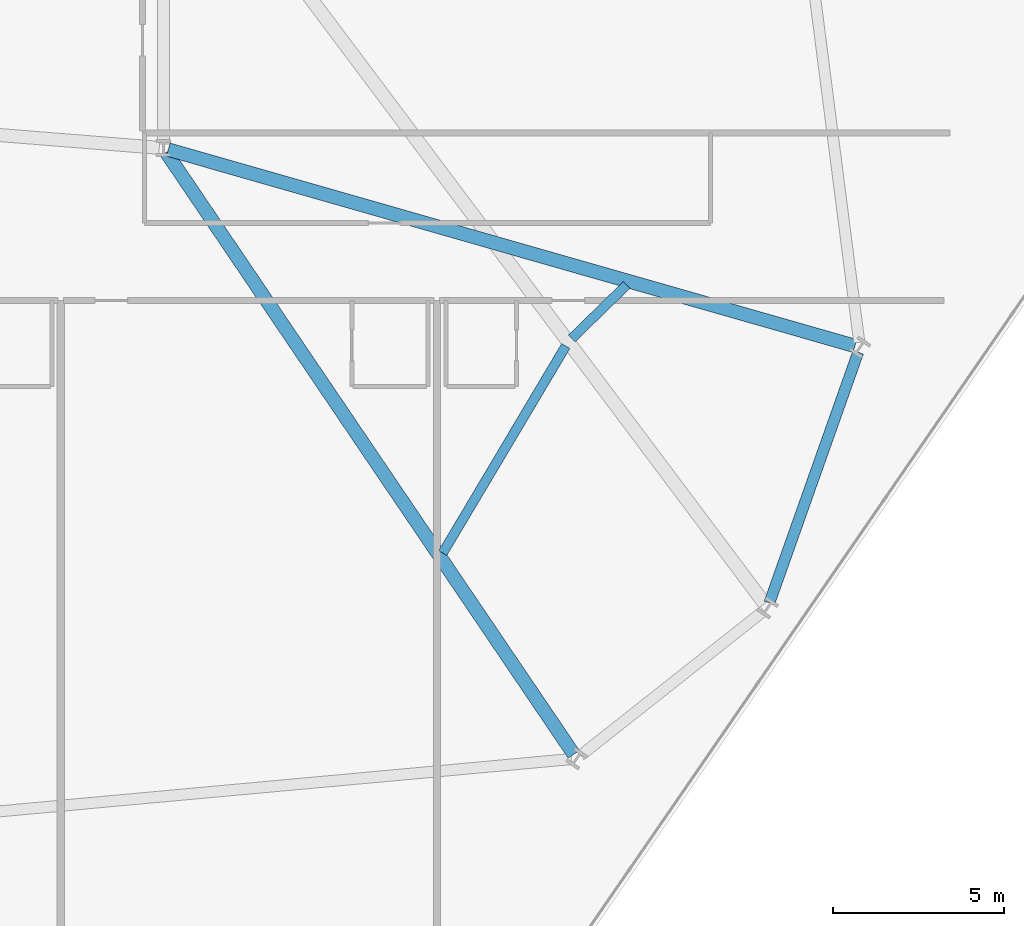
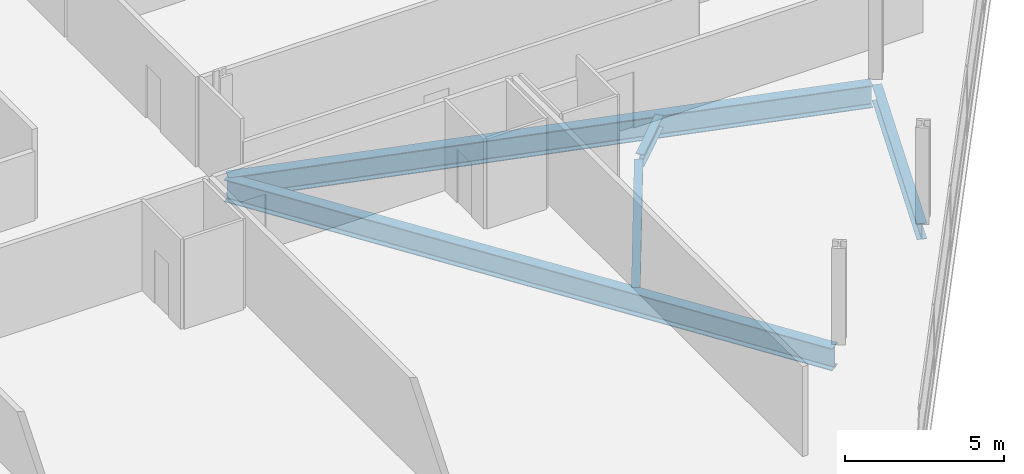
# One storey, part 8 of 24: 5 beams.
"""IFC4 building model written with IfcOpenShell, lengths in metres."""

from ifc_helpers import new_model, si_unit, direction, frame, origin, origin_2d, place, context, subcontext, project, spatial, i_section, extrude, material, material_profile, profile_set, type_object, element, save


model = new_model("IFC4")

# Units and contexts
model_context = context("Model", 3, precision=1e-05, world=origin(), true_north=direction((0.0, 1.0)))
body_context = subcontext(model_context, "Body", "Model", "MODEL_VIEW")
ifc_project = project(units=[si_unit("LENGTHUNIT", "METRE"), si_unit("AREAUNIT", "SQUARE_METRE"), si_unit("VOLUMEUNIT", "CUBIC_METRE"), si_unit("PLANEANGLEUNIT", "RADIAN"), si_unit("MASSUNIT", "GRAM", prefix="KILO")], contexts=[model_context])

# Site, building, storey
site_placement = place(None, origin())
site = spatial("IfcSite", under=ifc_project, at=site_placement, CompositionType="ELEMENT")
building_placement = place(site_placement, origin())
building = spatial("IfcBuilding", under=site, at=building_placement, Name="Varnelok Gate Tower", CompositionType="ELEMENT")
storey_placement = place(building_placement, frame((0.0, 0.0, 41.800048828125)))
storey = spatial("IfcBuildingStorey", under=building, at=storey_placement, Name="L09", CompositionType="ELEMENT", Elevation=41.800048828125)

# Beams
ifc_material = material(Name="Structural Steel ASTM A992 Grade 50", Category="steel")
ifc_material_profile_1 = material_profile(ifc_material, i_section(OverallWidth=0.280029296875, OverallDepth=0.462890625, WebThickness=0.0107421875, FlangeThickness=0.017333984375, FilletRadius=0.014892578125, at=origin_2d()), Name="W18X76")
ifc_profile_set_1 = profile_set([ifc_material_profile_1], Name="Structural Steel ASTM A992 Grade 50")
beam_type_1 = type_object("IfcBeamType", Name="BM-JST-W18X76", PredefinedType="JOIST", material=ifc_profile_set_1)
beam_1_placement = place(storey_placement, frame((62.16845703125, 6.962646484375, -0.4814453125), z_axis=(0.511024860255, 0.859565932434, 0.0), x_axis=(-0.859565932434, 0.511024860255, 0.0)))
element("IfcBeam", 1, at=beam_1_placement, inside=storey, type_object=beam_type_1, Name="L09 Sector Floor Joist 5", PredefinedType="JOIST", context=body_context, shape_type="SweptSolid", body=[
    extrude(i_section(OverallWidth=0.280029296875, OverallDepth=0.462890625, WebThickness=0.0107421875, FlangeThickness=0.017333984375, FilletRadius=0.014892578125, at=origin_2d()), origin(), (0.0, 0.0, 1.0), 7.04248046875),
])
beam_2_placement = place(storey_placement, frame((65.939208984375, 13.234130859375, -0.4814453125), z_axis=(0.716027335046, 0.698072242298, 0.0), x_axis=(-0.698072242298, 0.716027335046, 0.0)))
element("IfcBeam", 2, at=beam_2_placement, inside=storey, type_object=beam_type_1, Name="L09 Sector Floor Joist 6", PredefinedType="JOIST", context=body_context, shape_type="SweptSolid", body=[
    extrude(i_section(OverallWidth=0.280029296875, OverallDepth=0.462890625, WebThickness=0.0107421875, FlangeThickness=0.017333984375, FilletRadius=0.014892578125, at=origin_2d()), origin(), (0.0, 0.0, 1.0), 2.24365234375),
])
ifc_material_profile_2 = material_profile(ifc_material, i_section(OverallWidth=0.39892578125, OverallDepth=0.85498046875, WebThickness=0.018310546875, FlangeThickness=0.029296875, FilletRadius=0.02392578125, at=origin_2d()), Name="W33X201")
ifc_profile_set_2 = profile_set([ifc_material_profile_2], Name="Structural Steel ASTM A992 Grade 50")
beam_type_2 = type_object("IfcBeamType", Name="BM-PRI-W33X201", PredefinedType="BEAM", material=ifc_profile_set_2)
beam_3_placement = place(storey_placement, frame((54.083984375, 18.67578125, -0.677490234375), z_axis=(0.560684565433, -0.828029478995, 0.0), x_axis=(0.828029478995, 0.560684565433, 0.0)))
element("IfcBeam", 3, at=beam_3_placement, inside=storey, type_object=beam_type_2, Name="L09 Radial Floor Girder 6", PredefinedType="BEAM", context=body_context, shape_type="SweptSolid", body=[
    extrude(i_section(OverallWidth=0.39892578125, OverallDepth=0.85498046875, WebThickness=0.018310546875, FlangeThickness=0.029296875, FilletRadius=0.02392578125, at=origin_2d()), origin(), (0.0, 0.0, 1.0), 21.25390625),
])
beam_4_placement = place(storey_placement, frame((54.144287109375, 18.7587890625, -0.677490234375), z_axis=(0.961463485116, -0.274932658643, 0.0), x_axis=(0.274932658643, 0.961463485116, 0.0)))
element("IfcBeam", 4, at=beam_4_placement, inside=storey, type_object=beam_type_2, Name="L09 Radial Floor Girder 8", PredefinedType="BEAM", context=body_context, shape_type="SweptSolid", body=[
    extrude(i_section(OverallWidth=0.39892578125, OverallDepth=0.85498046875, WebThickness=0.018310546875, FlangeThickness=0.029296875, FilletRadius=0.02392578125, at=origin_2d()), origin(), (0.0, 0.0, 1.0), 20.883056640625),
])
ifc_material_profile_3 = material_profile(ifc_material, i_section(OverallWidth=0.323974609375, OverallDepth=0.611083984375, WebThickness=0.0126953125, FlangeThickness=0.01904296875, FilletRadius=0.01806640625, at=origin_2d()), Name="W24X104")
ifc_profile_set_3 = profile_set([ifc_material_profile_3], Name="Structural Steel ASTM A992 Grade 50")
beam_type_3 = type_object("IfcBeamType", Name="BM-SPN-W24X104", PredefinedType="SPANDREL", material=ifc_profile_set_3)
beam_5_placement = place(storey_placement, frame((71.72021484375, 5.50390625, -0.5556640625), z_axis=(0.333887238705, 0.942613023372, 0.0), x_axis=(-0.942613023372, 0.333887238705, 0.0)))
element("IfcBeam", 5, at=beam_5_placement, inside=storey, type_object=beam_type_3, Name="L09 Perimeter Spandrel Beam 7", PredefinedType="SPANDREL", context=body_context, shape_type="SweptSolid", body=[
    extrude(i_section(OverallWidth=0.323974609375, OverallDepth=0.611083984375, WebThickness=0.0126953125, FlangeThickness=0.01904296875, FilletRadius=0.01806640625, at=origin_2d()), origin(), (0.0, 0.0, 1.0), 7.777099609375),
])

save(model, "model.ifc")
